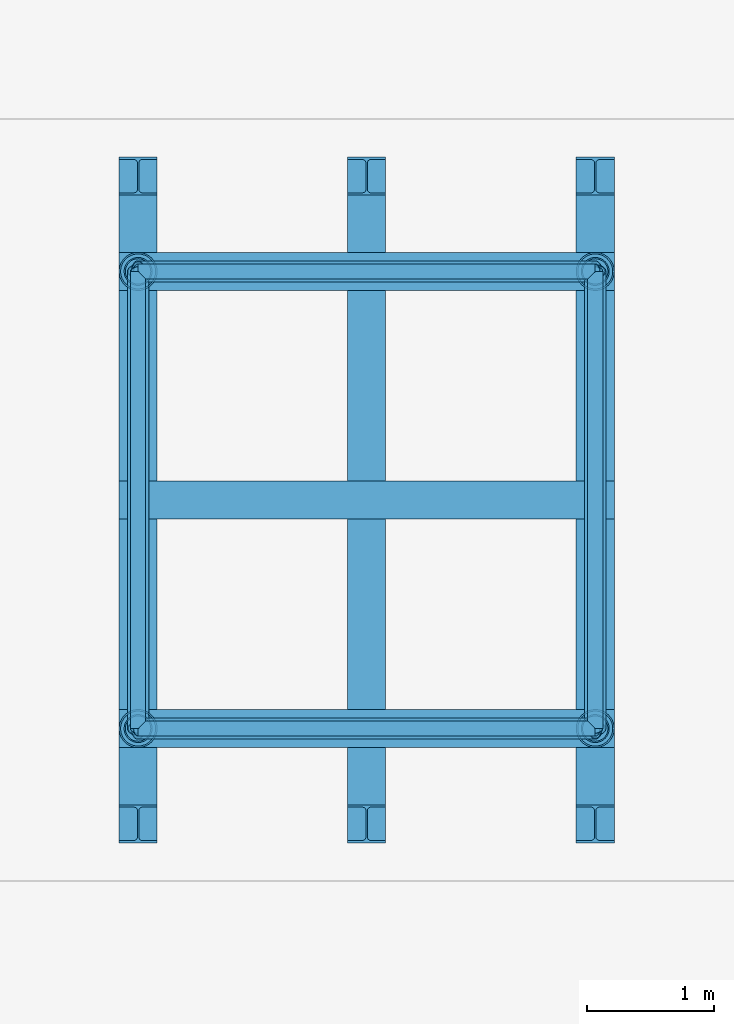
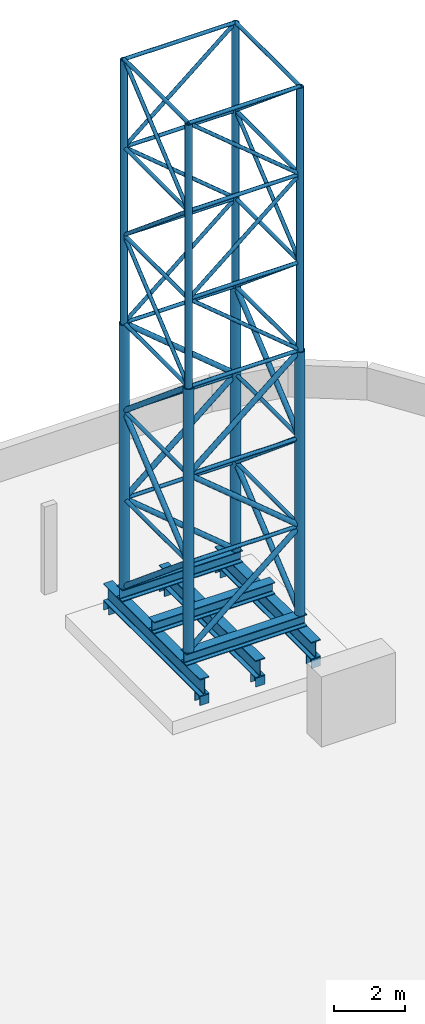
# One storey, part 1 of 3: 56 members, 6 beams, 6 columns.
"""IFC4 building model written with IfcOpenShell, lengths in metres."""

from ifc_helpers import new_model, si_unit, direction, frame, origin, origin_2d, place, context, subcontext, project, spatial, hollow_circle, i_section, extrude, material, material_profile, profile_set, type_object, element, save


model = new_model("IFC4")

# Units and contexts
model_context = context("Model", 3, precision=1e-05, world=origin(), true_north=direction((0.0, 1.0)))
body_context = subcontext(model_context, "Body", "Model", "MODEL_VIEW")
ifc_project = project(units=[si_unit("LENGTHUNIT", "METRE"), si_unit("AREAUNIT", "SQUARE_METRE"), si_unit("VOLUMEUNIT", "CUBIC_METRE"), si_unit("PLANEANGLEUNIT", "RADIAN"), si_unit("MASSUNIT", "GRAM", prefix="KILO")], contexts=[model_context])

# Site, building, storey
site_placement = place(None, origin())
site = spatial("IfcSite", under=ifc_project, at=site_placement, CompositionType="ELEMENT")
building_placement = place(site_placement, origin())
building = spatial("IfcBuilding", under=site, at=building_placement, Name="Mopane Tessera Tower", CompositionType="ELEMENT")
storey_placement = place(building_placement, frame((0.0, 0.0, 361.89990234375)))
storey = spatial("IfcBuildingStorey", under=building, at=storey_placement, Name="Roof", CompositionType="ELEMENT", Elevation=361.89990234375)

# Columns
ifc_material_1 = material(Name="Structural steel S460", Category="steel")
ifc_material_profile_1 = material_profile(ifc_material_1, i_section(OverallWidth=0.300048828125, OverallDepth=0.300048828125, WebThickness=0.010986328125, FlangeThickness=0.01904296875, FilletRadius=0.027099609375, at=origin_2d()))
ifc_profile_set_1 = profile_set([ifc_material_profile_1], Name="Structural steel S460")
column_type = type_object("IfcColumnType", Name="Mast bearing post HE 300 B", PredefinedType="COLUMN", material=ifc_profile_set_1)
for number, where, z_axis, x_axis, name in (
    (1, (8.699951171875, 6.64990234375, 0.4501953125), (0.0, 0.0, 1.0), (1.0, 0.0, 0.0), "Mast bearing post 1"),
    (2, (8.699951171875, 11.75, 0.4501953125), (0.0, 0.0, 1.0), (1.0, 0.0, 0.0), "Mast bearing post 2"),
    (3, (10.5, 6.64990234375, 0.4501953125), (0.0, 0.0, 1.0), (1.0, 0.0, 0.0), "Mast bearing post 3"),
    (4, (10.5, 11.75, 0.4501953125), (0.0, 0.0, 1.0), (1.0, 0.0, 0.0), "Mast bearing post 4"),
    (5, (12.300048828125, 6.64990234375, 0.4501953125), (0.0, 0.0, 1.0), (1.0, 0.0, 0.0), "Mast bearing post 5"),
    (6, (12.300048828125, 11.75, 0.4501953125), (0.0, 0.0, 1.0), (1.0, 0.0, 0.0), "Mast bearing post 6"),
):
    element("IfcColumn", number, at=place(storey_placement, frame(where, z_axis=z_axis, x_axis=x_axis)), inside=storey, type_object=column_type, Name=name, PredefinedType="COLUMN", context=body_context, shape_type="SweptSolid", body=[
        extrude(i_section(OverallWidth=0.300048828125, OverallDepth=0.300048828125, WebThickness=0.010986328125, FlangeThickness=0.01904296875, FilletRadius=0.027099609375, at=origin_2d()), origin(), (0.0, 0.0, 1.0), 0.2998046875),
    ])

# Beams
ifc_material_2 = material(Name="Structural steel S460", Category="steel")
ifc_material_profile_2 = material_profile(ifc_material_2, i_section(OverallWidth=0.300048828125, OverallDepth=0.39990234375, WebThickness=0.013427734375, FlangeThickness=0.02392578125, FilletRadius=0.027099609375, at=origin_2d()))
ifc_profile_set_2 = profile_set([ifc_material_profile_2], Name="Structural steel S460")
beam_type_1 = type_object("IfcBeamType", Name="Mast grillage beam HE 400 B", PredefinedType="BEAM", material=ifc_profile_set_2)
for number, where, z_axis, x_axis, name in (
    (7, (8.550048828125, 7.39990234375, 1.550048828125), (1.0, 0.0, 0.0), (0.0, 1.0, 0.0), "Mast grillage upper beam 1"),
    (8, (8.550048828125, 9.199951171875, 1.550048828125), (1.0, 0.0, 0.0), (0.0, 1.0, 0.0), "Mast grillage upper beam 2"),
    (9, (8.550048828125, 11.0, 1.550048828125), (1.0, 0.0, 0.0), (0.0, 1.0, 0.0), "Mast grillage upper beam 3"),
):
    element("IfcBeam", number, at=place(storey_placement, frame(where, z_axis=z_axis, x_axis=x_axis)), inside=storey, type_object=beam_type_1, Name=name, PredefinedType="BEAM", context=body_context, shape_type="SweptSolid", body=[
        extrude(i_section(OverallWidth=0.300048828125, OverallDepth=0.39990234375, WebThickness=0.013427734375, FlangeThickness=0.02392578125, FilletRadius=0.027099609375, at=origin_2d()), origin(), (0.0, 0.0, 1.0), 3.89990234375),
    ])
ifc_material_3 = material(Name="Structural steel S460", Category="steel")
ifc_material_profile_3 = material_profile(ifc_material_3, i_section(OverallWidth=0.300048828125, OverallDepth=0.60009765625, WebThickness=0.015380859375, FlangeThickness=0.030029296875, FilletRadius=0.027099609375, at=origin_2d()))
ifc_profile_set_3 = profile_set([ifc_material_profile_3], Name="Structural steel S460")
beam_type_2 = type_object("IfcBeamType", Name="Mast grillage beam HE 600 B", PredefinedType="BEAM", material=ifc_profile_set_3)
for number, where, z_axis, x_axis, name in (
    (10, (8.699951171875, 6.5, 1.050048828125), (0.0, 1.0, 0.0), (-1.0, 0.0, 0.0), "Mast grillage lower beam 1"),
    (11, (10.5, 6.5, 1.050048828125), (0.0, 1.0, 0.0), (-1.0, 0.0, 0.0), "Mast grillage lower beam 2"),
    (12, (12.300048828125, 6.5, 1.050048828125), (0.0, 1.0, 0.0), (-1.0, 0.0, 0.0), "Mast grillage lower beam 3"),
):
    element("IfcBeam", number, at=place(storey_placement, frame(where, z_axis=z_axis, x_axis=x_axis)), inside=storey, type_object=beam_type_2, Name=name, PredefinedType="BEAM", context=body_context, shape_type="SweptSolid", body=[
        extrude(i_section(OverallWidth=0.300048828125, OverallDepth=0.60009765625, WebThickness=0.015380859375, FlangeThickness=0.030029296875, FilletRadius=0.027099609375, at=origin_2d()), origin(), (0.0, 0.0, 1.0), 5.39990234375),
    ])

# Members
ifc_material_4 = material(Name="Structural steel S355", Category="steel")
ifc_material_profile_4 = material_profile(ifc_material_4, hollow_circle(Radius=0.06005859375, WallThickness=0.006103515625, at=origin_2d()))
ifc_profile_set_4 = profile_set([ifc_material_profile_4], Name="Structural steel S355")
member_type_1 = type_object("IfcMemberType", Name="Telecom mast brace CHS 120 x 6", PredefinedType="BRACE", material=ifc_profile_set_4)
for number, where, z_axis, x_axis, name in (
    (13, (12.300048828125, 7.39990234375, 10.75), (-0.768229820104, 0.0, 0.640174150918), (0.0, -1.0, 0.0), "e:rf:mast:brace3:0"),
    (14, (12.300048828125, 11.0, 10.75), (0.0, -0.768229820104, 0.640174150918), (1.0, 0.0, 0.0), "e:rf:mast:brace3:1"),
    (15, (8.699951171875, 11.0, 10.75), (0.768229820104, 0.0, 0.640174150918), (0.0, 1.0, 0.0), "e:rf:mast:brace3:2"),
    (16, (8.699951171875, 7.39990234375, 10.75), (0.0, 0.768229820104, 0.640174150918), (-1.0, 0.0, 0.0), "e:rf:mast:brace3:3"),
    (17, (8.699951171875, 7.39990234375, 13.75), (0.768229820104, 0.0, 0.640174150918), (0.0, 1.0, 0.0), "e:rf:mast:brace4:0"),
    (18, (12.300048828125, 7.39990234375, 13.75), (0.0, 0.768229820104, 0.640174150918), (-1.0, 0.0, 0.0), "e:rf:mast:brace4:1"),
    (19, (12.300048828125, 11.0, 13.75), (-0.768229820104, 0.0, 0.640174150918), (0.0, -1.0, 0.0), "e:rf:mast:brace4:2"),
    (20, (8.699951171875, 11.0, 13.75), (0.0, -0.768229820104, 0.640174150918), (1.0, 0.0, 0.0), "e:rf:mast:brace4:3"),
    (21, (12.300048828125, 7.39990234375, 16.75), (-0.768229820104, 0.0, 0.640174150918), (0.0, -1.0, 0.0), "e:rf:mast:brace5:0"),
    (22, (12.300048828125, 11.0, 16.75), (0.0, -0.768229820104, 0.640174150918), (1.0, 0.0, 0.0), "e:rf:mast:brace5:1"),
    (23, (8.699951171875, 11.0, 16.75), (0.768229820104, 0.0, 0.640174150918), (0.0, 1.0, 0.0), "e:rf:mast:brace5:2"),
    (24, (8.699951171875, 7.39990234375, 16.75), (0.0, 0.768229820104, 0.640174150918), (-1.0, 0.0, 0.0), "e:rf:mast:brace5:3"),
):
    element("IfcMember", number, at=place(storey_placement, frame(where, z_axis=z_axis, x_axis=x_axis)), inside=storey, type_object=member_type_1, Name=name, PredefinedType="BRACE", context=body_context, shape_type="SweptSolid", body=[
        extrude(hollow_circle(Radius=0.06005859375, WallThickness=0.006103515625, at=origin_2d()), origin(), (0.0, 0.0, 1.0), 4.686279296875),
    ])
ifc_material_5 = material(Name="Structural steel S355", Category="steel")
ifc_material_profile_5 = material_profile(ifc_material_5, hollow_circle(Radius=0.14990234375, WallThickness=0.011962890625, at=origin_2d()))
ifc_profile_set_5 = profile_set([ifc_material_profile_5], Name="Structural steel S355")
member_type_2 = type_object("IfcMemberType", Name="Telecom mast chord CHS 300 x 12", PredefinedType="CHORD", material=ifc_profile_set_5)
for number, where, z_axis, x_axis, name in (
    (25, (8.699951171875, 7.39990234375, 1.75), (0.0, 0.0, 1.0), (1.0, 0.0, 0.0), "e:rf:mast:chord0"),
    (26, (12.300048828125, 7.39990234375, 1.75), (0.0, 0.0, 1.0), (1.0, 0.0, 0.0), "e:rf:mast:chord1"),
    (27, (12.300048828125, 11.0, 1.75), (0.0, 0.0, 1.0), (1.0, 0.0, 0.0), "e:rf:mast:chord2"),
    (28, (8.699951171875, 11.0, 1.75), (0.0, 0.0, 1.0), (1.0, 0.0, 0.0), "e:rf:mast:chord3"),
):
    element("IfcMember", number, at=place(storey_placement, frame(where, z_axis=z_axis, x_axis=x_axis)), inside=storey, type_object=member_type_2, Name=name, PredefinedType="CHORD", context=body_context, shape_type="SweptSolid", body=[
        extrude(hollow_circle(Radius=0.14990234375, WallThickness=0.011962890625, at=origin_2d()), origin(), (0.0, 0.0, 1.0), 9.0),
    ])
ifc_material_6 = material(Name="Structural steel S355", Category="steel")
ifc_material_profile_6 = material_profile(ifc_material_6, hollow_circle(Radius=0.083984375, WallThickness=0.008056640625, at=origin_2d()))
ifc_profile_set_6 = profile_set([ifc_material_profile_6], Name="Structural steel S355")
member_type_3 = type_object("IfcMemberType", Name="Telecom mast lower brace CHS 168 x 8", PredefinedType="BRACE", material=ifc_profile_set_6)
for number, where, z_axis, x_axis, name in (
    (29, (8.699951171875, 7.39990234375, 1.75), (0.768229820104, 0.0, 0.640174150918), (0.0, 1.0, 0.0), "e:rf:mast:brace0:0"),
    (30, (12.300048828125, 7.39990234375, 1.75), (0.0, 0.768229820104, 0.640174150918), (-1.0, 0.0, 0.0), "e:rf:mast:brace0:1"),
    (31, (12.300048828125, 11.0, 1.75), (-0.768229820104, 0.0, 0.640174150918), (0.0, -1.0, 0.0), "e:rf:mast:brace0:2"),
    (32, (8.699951171875, 11.0, 1.75), (0.0, -0.768229820104, 0.640174150918), (1.0, 0.0, 0.0), "e:rf:mast:brace0:3"),
    (33, (12.300048828125, 7.39990234375, 4.75), (-0.768229820104, 0.0, 0.640174150918), (0.0, -1.0, 0.0), "e:rf:mast:brace1:0"),
    (34, (12.300048828125, 11.0, 4.75), (0.0, -0.768229820104, 0.640174150918), (1.0, 0.0, 0.0), "e:rf:mast:brace1:1"),
    (35, (8.699951171875, 11.0, 4.75), (0.768229820104, 0.0, 0.640174150918), (0.0, 1.0, 0.0), "e:rf:mast:brace1:2"),
    (36, (8.699951171875, 7.39990234375, 4.75), (0.0, 0.768229820104, 0.640174150918), (-1.0, 0.0, 0.0), "e:rf:mast:brace1:3"),
    (37, (8.699951171875, 7.39990234375, 7.75), (0.768229820104, 0.0, 0.640174150918), (0.0, 1.0, 0.0), "e:rf:mast:brace2:0"),
    (38, (12.300048828125, 7.39990234375, 7.75), (0.0, 0.768229820104, 0.640174150918), (-1.0, 0.0, 0.0), "e:rf:mast:brace2:1"),
    (39, (12.300048828125, 11.0, 7.75), (-0.768229820104, 0.0, 0.640174150918), (0.0, -1.0, 0.0), "e:rf:mast:brace2:2"),
    (40, (8.699951171875, 11.0, 7.75), (0.0, -0.768229820104, 0.640174150918), (1.0, 0.0, 0.0), "e:rf:mast:brace2:3"),
):
    element("IfcMember", number, at=place(storey_placement, frame(where, z_axis=z_axis, x_axis=x_axis)), inside=storey, type_object=member_type_3, Name=name, PredefinedType="BRACE", context=body_context, shape_type="SweptSolid", body=[
        extrude(hollow_circle(Radius=0.083984375, WallThickness=0.008056640625, at=origin_2d()), origin(), (0.0, 0.0, 1.0), 4.686279296875),
    ])
ifc_material_7 = material(Name="Structural steel S355", Category="steel")
ifc_material_profile_7 = material_profile(ifc_material_7, hollow_circle(Radius=0.06005859375, WallThickness=0.006103515625, at=origin_2d()))
ifc_profile_set_7 = profile_set([ifc_material_profile_7], Name="Structural steel S355")
member_type_4 = type_object("IfcMemberType", Name="Telecom mast ring CHS 120 x 6", PredefinedType="MEMBER", material=ifc_profile_set_7)
for number, where, z_axis, x_axis, name in (
    (41, (8.699951171875, 7.39990234375, 4.75), (1.0, 0.0, 0.0), (0.0, 1.0, 0.0), "e:rf:mast:ring0:0"),
    (42, (12.300048828125, 7.39990234375, 4.75), (0.0, 1.0, 0.0), (-1.0, 0.0, 0.0), "e:rf:mast:ring0:1"),
    (43, (12.300048828125, 11.0, 4.75), (-1.0, 0.0, 0.0), (0.0, -1.0, 0.0), "e:rf:mast:ring0:2"),
    (44, (8.699951171875, 11.0, 4.75), (0.0, -1.0, 0.0), (1.0, 0.0, 0.0), "e:rf:mast:ring0:3"),
    (45, (8.699951171875, 7.39990234375, 7.75), (1.0, 0.0, 0.0), (0.0, 1.0, 0.0), "e:rf:mast:ring1:0"),
    (46, (12.300048828125, 7.39990234375, 7.75), (0.0, 1.0, 0.0), (-1.0, 0.0, 0.0), "e:rf:mast:ring1:1"),
    (47, (12.300048828125, 11.0, 7.75), (-1.0, 0.0, 0.0), (0.0, -1.0, 0.0), "e:rf:mast:ring1:2"),
    (48, (8.699951171875, 11.0, 7.75), (0.0, -1.0, 0.0), (1.0, 0.0, 0.0), "e:rf:mast:ring1:3"),
    (49, (8.699951171875, 7.39990234375, 10.75), (1.0, 0.0, 0.0), (0.0, 1.0, 0.0), "e:rf:mast:ring2:0"),
    (50, (12.300048828125, 7.39990234375, 10.75), (0.0, 1.0, 0.0), (-1.0, 0.0, 0.0), "e:rf:mast:ring2:1"),
    (51, (12.300048828125, 11.0, 10.75), (-1.0, 0.0, 0.0), (0.0, -1.0, 0.0), "e:rf:mast:ring2:2"),
    (52, (8.699951171875, 11.0, 10.75), (0.0, -1.0, 0.0), (1.0, 0.0, 0.0), "e:rf:mast:ring2:3"),
    (53, (8.699951171875, 7.39990234375, 13.75), (1.0, 0.0, 0.0), (0.0, 1.0, 0.0), "e:rf:mast:ring3:0"),
    (54, (12.300048828125, 7.39990234375, 13.75), (0.0, 1.0, 0.0), (-1.0, 0.0, 0.0), "e:rf:mast:ring3:1"),
    (55, (12.300048828125, 11.0, 13.75), (-1.0, 0.0, 0.0), (0.0, -1.0, 0.0), "e:rf:mast:ring3:2"),
    (56, (8.699951171875, 11.0, 13.75), (0.0, -1.0, 0.0), (1.0, 0.0, 0.0), "e:rf:mast:ring3:3"),
    (57, (8.699951171875, 7.39990234375, 16.75), (1.0, 0.0, 0.0), (0.0, 1.0, 0.0), "e:rf:mast:ring4:0"),
    (58, (12.300048828125, 7.39990234375, 16.75), (0.0, 1.0, 0.0), (-1.0, 0.0, 0.0), "e:rf:mast:ring4:1"),
    (59, (12.300048828125, 11.0, 16.75), (-1.0, 0.0, 0.0), (0.0, -1.0, 0.0), "e:rf:mast:ring4:2"),
    (60, (8.699951171875, 11.0, 16.75), (0.0, -1.0, 0.0), (1.0, 0.0, 0.0), "e:rf:mast:ring4:3"),
    (61, (8.699951171875, 7.39990234375, 19.75), (1.0, 0.0, 0.0), (0.0, 1.0, 0.0), "e:rf:mast:ring5:0"),
    (62, (12.300048828125, 7.39990234375, 19.75), (0.0, 1.0, 0.0), (-1.0, 0.0, 0.0), "e:rf:mast:ring5:1"),
    (63, (12.300048828125, 11.0, 19.75), (-1.0, 0.0, 0.0), (0.0, -1.0, 0.0), "e:rf:mast:ring5:2"),
    (64, (8.699951171875, 11.0, 19.75), (0.0, -1.0, 0.0), (1.0, 0.0, 0.0), "e:rf:mast:ring5:3"),
):
    element("IfcMember", number, at=place(storey_placement, frame(where, z_axis=z_axis, x_axis=x_axis)), inside=storey, type_object=member_type_4, Name=name, PredefinedType="MEMBER", context=body_context, shape_type="SweptSolid", body=[
        extrude(hollow_circle(Radius=0.06005859375, WallThickness=0.006103515625, at=origin_2d()), origin(), (0.0, 0.0, 1.0), 3.60009765625),
    ])
ifc_material_8 = material(Name="Structural steel S355", Category="steel")
ifc_material_profile_8 = material_profile(ifc_material_8, hollow_circle(Radius=0.110107421875, WallThickness=0.010009765625, at=origin_2d()))
ifc_profile_set_8 = profile_set([ifc_material_profile_8], Name="Structural steel S355")
member_type_5 = type_object("IfcMemberType", Name="Telecom mast upper chord CHS 220 x 10", PredefinedType="CHORD", material=ifc_profile_set_8)
for number, where, z_axis, x_axis, name in (
    (65, (8.699951171875, 7.39990234375, 10.75), (0.0, 0.0, 1.0), (1.0, 0.0, 0.0), "e:rf:mast:uchord0"),
    (66, (12.300048828125, 7.39990234375, 10.75), (0.0, 0.0, 1.0), (1.0, 0.0, 0.0), "e:rf:mast:uchord1"),
    (67, (12.300048828125, 11.0, 10.75), (0.0, 0.0, 1.0), (1.0, 0.0, 0.0), "e:rf:mast:uchord2"),
    (68, (8.699951171875, 11.0, 10.75), (0.0, 0.0, 1.0), (1.0, 0.0, 0.0), "e:rf:mast:uchord3"),
):
    element("IfcMember", number, at=place(storey_placement, frame(where, z_axis=z_axis, x_axis=x_axis)), inside=storey, type_object=member_type_5, Name=name, PredefinedType="CHORD", context=body_context, shape_type="SweptSolid", body=[
        extrude(hollow_circle(Radius=0.110107421875, WallThickness=0.010009765625, at=origin_2d()), origin(), (0.0, 0.0, 1.0), 9.0),
    ])

save(model, "model.ifc")
